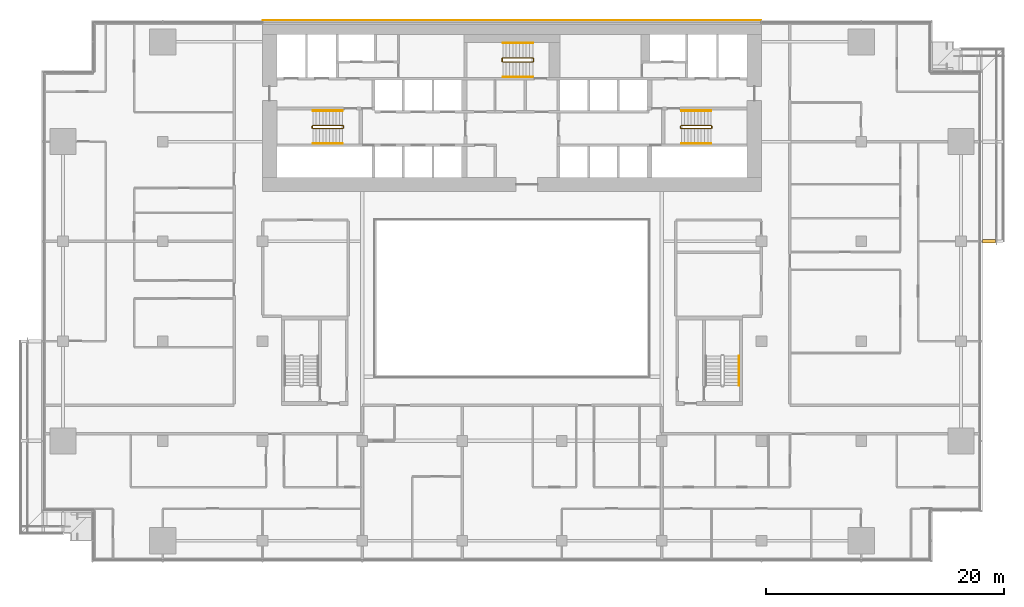
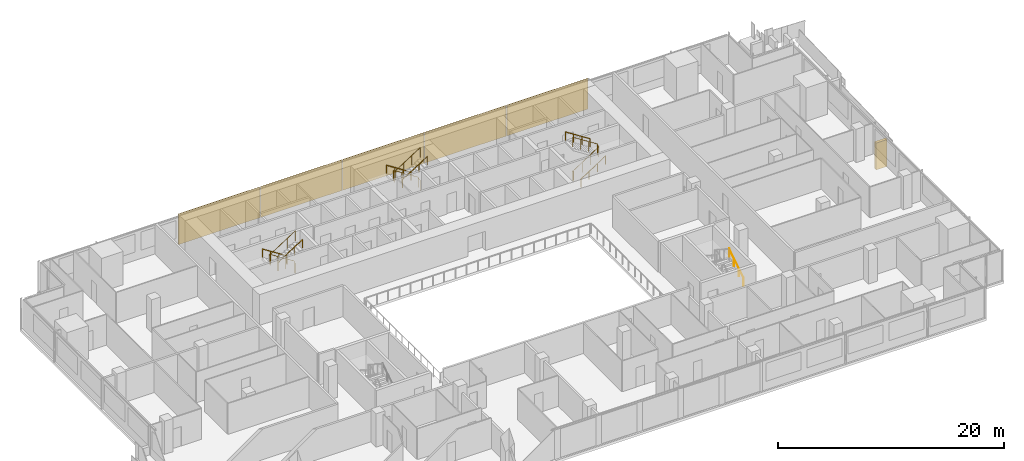
# One storey, part 24 of 27: 10 railings, 6 coverings.
"""IFC4 building model written with IfcOpenShell, lengths in metres."""

from ifc_helpers import new_model, si_unit, direction, frame, origin, origin_2d, place, context, subcontext, project, spatial, polyline, rectangle, circle, outline, extrude, material, layer, layer_set, type_object, element, save


model = new_model("IFC4")

# Units and contexts
model_context = context("Model", 3, precision=1e-05, world=origin(), true_north=direction((0.0, 1.0)))
body_context = subcontext(model_context, "Body", "Model", "MODEL_VIEW")
ifc_project = project(units=[si_unit("LENGTHUNIT", "METRE"), si_unit("AREAUNIT", "SQUARE_METRE"), si_unit("VOLUMEUNIT", "CUBIC_METRE"), si_unit("PLANEANGLEUNIT", "RADIAN"), si_unit("MASSUNIT", "GRAM", prefix="KILO")], contexts=[model_context])

# Site, building, storey
site_placement = place(None, origin())
site = spatial("IfcSite", under=ifc_project, at=site_placement, CompositionType="ELEMENT")
building_placement = place(site_placement, origin())
building = spatial("IfcBuilding", under=site, at=building_placement, Name="Saffron Gate Tower", CompositionType="ELEMENT")
storey_placement = place(building_placement, frame((0.0, 0.0, 76.800048828125)))
storey = spatial("IfcBuildingStorey", under=building, at=storey_placement, Name="L18", CompositionType="ELEMENT", Elevation=76.800048828125)

# Coverings
ifc_material_1 = material(Name="Ceramic-printed bronze insulated panel")
ifc_layer_1 = layer(ifc_material_1, 0.0400390625)
ifc_layer_set_1 = layer_set([ifc_layer_1], Name="CLD1 ceramic-printed cladding panel 40")
covering_type_1 = type_object("IfcCoveringType", Name="CLD1 ceramic-printed cladding panel 40", PredefinedType="CLADDING", material=ifc_layer_set_1)
covering_1_placement = place(storey_placement, origin())
element("IfcCovering", 1, at=covering_1_placement, inside=storey, type_object=covering_type_1, Name="CLADDING ceramic-printed panel", PredefinedType="CLADDING", context=body_context, shape_type="SweptSolid", body=[
    extrude(outline(polyline([(108.56494140625, 75.639892578125), (100.235107421875, 75.639892578125), (100.235107421875, 75.60009765625), (108.56494140625, 75.60009765625), (108.56494140625, 75.639892578125)])), origin(), (0.0, 0.0, 1.0), 3.320068359375),
])
covering_2_placement = place(storey_placement, origin())
element("IfcCovering", 2, at=covering_2_placement, inside=storey, type_object=covering_type_1, Name="CLADDING ceramic-printed panel", PredefinedType="CLADDING", context=body_context, shape_type="SweptSolid", body=[
    extrude(outline(polyline([(100.1650390625, 75.639892578125), (91.8349609375, 75.639892578125), (91.8349609375, 75.60009765625), (100.1650390625, 75.60009765625), (100.1650390625, 75.639892578125)])), origin(), (0.0, 0.0, 1.0), 3.320068359375),
])
covering_3_placement = place(storey_placement, origin())
element("IfcCovering", 3, at=covering_3_placement, inside=storey, type_object=covering_type_1, Name="CLADDING ceramic-printed panel", PredefinedType="CLADDING", context=body_context, shape_type="SweptSolid", body=[
    extrude(outline(polyline([(91.764892578125, 75.639892578125), (83.43505859375, 75.639892578125), (83.43505859375, 75.60009765625), (91.764892578125, 75.60009765625), (91.764892578125, 75.639892578125)])), origin(), (0.0, 0.0, 1.0), 3.320068359375),
])
covering_4_placement = place(storey_placement, origin())
element("IfcCovering", 4, at=covering_4_placement, inside=storey, type_object=covering_type_1, Name="CLADDING ceramic-printed panel", PredefinedType="CLADDING", context=body_context, shape_type="SweptSolid", body=[
    extrude(outline(polyline([(83.364990234375, 75.639892578125), (75.034912109375, 75.639892578125), (75.034912109375, 75.60009765625), (83.364990234375, 75.60009765625), (83.364990234375, 75.639892578125)])), origin(), (0.0, 0.0, 1.0), 3.320068359375),
])
covering_5_placement = place(storey_placement, origin())
element("IfcCovering", 5, at=covering_5_placement, inside=storey, type_object=covering_type_1, Name="CLADDING ceramic-printed panel", PredefinedType="CLADDING", context=body_context, shape_type="SweptSolid", body=[
    extrude(outline(polyline([(74.965087890625, 75.639892578125), (66.635009765625, 75.639892578125), (66.635009765625, 75.60009765625), (74.965087890625, 75.60009765625), (74.965087890625, 75.639892578125)])), origin(), (0.0, 0.0, 1.0), 3.320068359375),
])

# Railings
ifc_material_2 = material(Name="Stainless steel and laminated glass", Category="steel")
railing_type_1 = type_object("IfcRailingType", Name="CR1 Stair guard 1100", PredefinedType="GUARDRAIL", material=ifc_material_2)
railing_1_placement = place(storey_placement, frame((73.39990234375, 66.550048828125, 0.0)))
element("IfcRailing", 6, at=railing_1_placement, inside=storey, type_object=railing_type_1, Name="L18 ST-A stair guard 1", PredefinedType="GUARDRAIL", context=body_context, shape_type="SweptSolid", body=[
    extrude(circle(Radius=0.02392578125, at=origin_2d()), frame((0.0, 0.0, 1.076171875), z_axis=(0.0, 1.0, 0.0), x_axis=(-1.0, 0.0, 0.0)), (0.0, 0.0, 1.0), 0.14990234375),
    extrude(circle(Radius=0.02392578125, at=origin_2d()), frame((0.0, 0.14990234375, 1.076171875), z_axis=(-0.257669022063, 0.258932105505, 0.930892496375), x_axis=(-0.708833529934, -0.705375805398, 0.0)), (0.0, 0.0, 1.0), 0.193359375),
    extrude(circle(Radius=0.02392578125, at=origin_2d()), frame((-0.0498046875, 0.199951171875, 1.255859375), z_axis=(-0.841162588446, 0.0, 0.540782303519), x_axis=(0.0, -1.0, 0.0)), (0.0, 0.0, 1.0), 2.995849609375),
    extrude(circle(Radius=0.02392578125, at=origin_2d()), frame((-2.56982421875, 0.199951171875, 2.8759765625), z_axis=(-0.707106781187, -0.707106781187, 0.0), x_axis=(0.707106781187, -0.707106781187, 0.0)), (0.0, 0.0, 1.0), 0.07080078125),
    extrude(circle(Radius=0.02392578125, at=origin_2d()), frame((-2.619873046875, 0.14990234375, 2.8759765625), z_axis=(0.0, -1.0, 0.0), x_axis=(1.0, 0.0, 0.0)), (0.0, 0.0, 1.0), 0.14990234375),
    extrude(circle(Radius=0.02392578125, at=origin_2d()), frame((-2.619873046875, 0.0, 2.8759765625), z_axis=(0.258847668887, -0.258847668887, 0.930588936439), x_axis=(0.707106781187, 0.707106781187, 0.0)), (0.0, 0.0, 1.0), 0.193359375),
    extrude(circle(Radius=0.02392578125, at=origin_2d()), frame((-2.56982421875, -0.050048828125, 3.05615234375), z_axis=(0.841199657755, 0.0, 0.540724639528), x_axis=(0.0, 1.0, 0.0)), (0.0, 0.0, 1.0), 2.995849609375),
    extrude(circle(Radius=0.02099609375, at=origin_2d()), origin(), (0.0, 0.0, 1.0), 1.052001953125),
    extrude(circle(Radius=0.02099609375, at=origin_2d()), frame((0.0, 0.14990234375, 0.0)), (0.0, 0.0, 1.0), 1.052001953125),
    extrude(circle(Radius=0.02099609375, at=origin_2d()), frame((-0.0498046875, 0.199951171875, 0.179931640625)), (0.0, 0.0, 1.0), 1.052001953125),
    extrude(circle(Radius=0.02099609375, at=origin_2d()), frame((-0.889892578125, 0.199951171875, 0.719970703125)), (0.0, 0.0, 1.0), 1.052001953125),
    extrude(circle(Radius=0.02099609375, at=origin_2d()), frame((-1.729736328125, 0.199951171875, 1.260009765625)), (0.0, 0.0, 1.0), 1.052001953125),
    extrude(circle(Radius=0.02099609375, at=origin_2d()), frame((-2.56982421875, 0.199951171875, 1.800048828125)), (0.0, 0.0, 1.0), 1.052001953125),
    extrude(circle(Radius=0.02099609375, at=origin_2d()), frame((-2.619873046875, 0.14990234375, 1.800048828125)), (0.0, 0.0, 1.0), 1.052001953125),
    extrude(circle(Radius=0.02099609375, at=origin_2d()), frame((-2.619873046875, 0.0, 1.800048828125)), (0.0, 0.0, 1.0), 1.052001953125),
    extrude(circle(Radius=0.02099609375, at=origin_2d()), frame((-2.56982421875, -0.050048828125, 1.97998046875)), (0.0, 0.0, 1.0), 1.052001953125),
    extrude(circle(Radius=0.02099609375, at=origin_2d()), frame((-1.729736328125, -0.050048828125, 2.52001953125)), (0.0, 0.0, 1.0), 1.052001953125),
    extrude(circle(Radius=0.02099609375, at=origin_2d()), frame((-0.889892578125, -0.050048828125, 3.059814453125)), (0.0, 0.0, 1.0), 1.052001953125),
    extrude(circle(Radius=0.02099609375, at=origin_2d()), frame((-0.0498046875, -0.050048828125, 3.599853515625)), (0.0, 0.0, 1.0), 1.052001953125),
])
railing_2_placement = place(storey_placement, frame((101.800048828125, 66.699951171875, 0.0)))
element("IfcRailing", 7, at=railing_2_placement, inside=storey, type_object=railing_type_1, Name="L18 ST-B stair guard 1", PredefinedType="GUARDRAIL", context=body_context, shape_type="SweptSolid", body=[
    extrude(circle(Radius=0.02392578125, at=origin_2d()), frame((0.0, 0.0, 1.076171875), z_axis=(0.0, -1.0, 0.0), x_axis=(1.0, 0.0, 0.0)), (0.0, 0.0, 1.0), 0.14990234375),
    extrude(circle(Radius=0.02392578125, at=origin_2d()), frame((0.0, -0.14990234375, 1.076171875), z_axis=(0.258847668887, -0.258847668887, 0.930588936439), x_axis=(0.707106781187, 0.707106781187, 0.0)), (0.0, 0.0, 1.0), 0.193359375),
    extrude(circle(Radius=0.02392578125, at=origin_2d()), frame((0.050048828125, -0.199951171875, 1.255859375), z_axis=(0.841162588446, 0.0, 0.540782303519), x_axis=(0.0, 1.0, 0.0)), (0.0, 0.0, 1.0), 2.995849609375),
    extrude(circle(Radius=0.02392578125, at=origin_2d()), frame((2.570068359375, -0.199951171875, 2.8759765625), z_axis=(0.705375805398, 0.708833529934, 0.0), x_axis=(-0.708833529934, 0.705375805398, 0.0)), (0.0, 0.0, 1.0), 0.070556640625),
    extrude(circle(Radius=0.02392578125, at=origin_2d()), frame((2.619873046875, -0.14990234375, 2.8759765625), z_axis=(0.0, 1.0, 0.0), x_axis=(-1.0, 0.0, 0.0)), (0.0, 0.0, 1.0), 0.14990234375),
    extrude(circle(Radius=0.02392578125, at=origin_2d()), frame((2.619873046875, 0.0, 2.8759765625), z_axis=(-0.257669022063, 0.258932105505, 0.930892496375), x_axis=(-0.708833529934, -0.705375805398, 0.0)), (0.0, 0.0, 1.0), 0.193359375),
    extrude(circle(Radius=0.02392578125, at=origin_2d()), frame((2.570068359375, 0.050048828125, 3.05615234375), z_axis=(-0.841199657755, 0.0, 0.540724639528), x_axis=(0.0, -1.0, 0.0)), (0.0, 0.0, 1.0), 2.995849609375),
    extrude(circle(Radius=0.02099609375, at=origin_2d()), origin(), (0.0, 0.0, 1.0), 1.052001953125),
    extrude(circle(Radius=0.02099609375, at=origin_2d()), frame((0.0, -0.14990234375, 0.0)), (0.0, 0.0, 1.0), 1.052001953125),
    extrude(circle(Radius=0.02099609375, at=origin_2d()), frame((0.050048828125, -0.199951171875, 0.179931640625)), (0.0, 0.0, 1.0), 1.052001953125),
    extrude(circle(Radius=0.02099609375, at=origin_2d()), frame((0.89013671875, -0.199951171875, 0.719970703125)), (0.0, 0.0, 1.0), 1.052001953125),
    extrude(circle(Radius=0.02099609375, at=origin_2d()), frame((1.72998046875, -0.199951171875, 1.260009765625)), (0.0, 0.0, 1.0), 1.052001953125),
    extrude(circle(Radius=0.02099609375, at=origin_2d()), frame((2.570068359375, -0.199951171875, 1.800048828125)), (0.0, 0.0, 1.0), 1.052001953125),
    extrude(circle(Radius=0.02099609375, at=origin_2d()), frame((2.619873046875, -0.14990234375, 1.800048828125)), (0.0, 0.0, 1.0), 1.052001953125),
    extrude(circle(Radius=0.02099609375, at=origin_2d()), frame((2.619873046875, 0.0, 1.800048828125)), (0.0, 0.0, 1.0), 1.052001953125),
    extrude(circle(Radius=0.02099609375, at=origin_2d()), frame((2.570068359375, 0.050048828125, 1.97998046875)), (0.0, 0.0, 1.0), 1.052001953125),
    extrude(circle(Radius=0.02099609375, at=origin_2d()), frame((1.72998046875, 0.050048828125, 2.52001953125)), (0.0, 0.0, 1.0), 1.052001953125),
    extrude(circle(Radius=0.02099609375, at=origin_2d()), frame((0.89013671875, 0.050048828125, 3.059814453125)), (0.0, 0.0, 1.0), 1.052001953125),
    extrude(circle(Radius=0.02099609375, at=origin_2d()), frame((0.050048828125, 0.050048828125, 3.599853515625)), (0.0, 0.0, 1.0), 1.052001953125),
])
railing_3_placement = place(storey_placement, frame((89.39990234375, 72.14990234375, 0.0)))
element("IfcRailing", 8, at=railing_3_placement, inside=storey, type_object=railing_type_1, Name="L18 ST-C stair guard 1", PredefinedType="GUARDRAIL", context=body_context, shape_type="SweptSolid", body=[
    extrude(circle(Radius=0.02392578125, at=origin_2d()), frame((0.0, 0.0, 1.076171875), z_axis=(0.0, 1.0, 0.0), x_axis=(-1.0, 0.0, 0.0)), (0.0, 0.0, 1.0), 0.25),
    extrude(circle(Radius=0.02392578125, at=origin_2d()), frame((0.0, 0.25, 1.076171875), z_axis=(-0.257669022063, 0.258932105505, 0.930892496375), x_axis=(-0.708833529934, -0.705375805398, 0.0)), (0.0, 0.0, 1.0), 0.193359375),
    extrude(circle(Radius=0.02392578125, at=origin_2d()), frame((-0.0498046875, 0.300048828125, 1.255859375), z_axis=(-0.841162588446, 0.0, 0.540782303519), x_axis=(0.0, -1.0, 0.0)), (0.0, 0.0, 1.0), 2.995849609375),
    extrude(circle(Radius=0.02392578125, at=origin_2d()), frame((-2.56982421875, 0.300048828125, 2.8759765625), z_axis=(-0.707106781187, -0.707106781187, 0.0), x_axis=(0.707106781187, -0.707106781187, 0.0)), (0.0, 0.0, 1.0), 0.07080078125),
    extrude(circle(Radius=0.02392578125, at=origin_2d()), frame((-2.619873046875, 0.25, 2.8759765625), z_axis=(0.0, -1.0, 0.0), x_axis=(1.0, 0.0, 0.0)), (0.0, 0.0, 1.0), 0.25),
    extrude(circle(Radius=0.02392578125, at=origin_2d()), frame((-2.619873046875, 0.0, 2.8759765625), z_axis=(0.258932105505, -0.257669022063, 0.930892496375), x_axis=(0.705375805398, 0.708833529934, 0.0)), (0.0, 0.0, 1.0), 0.193359375),
    extrude(circle(Radius=0.02392578125, at=origin_2d()), frame((-2.56982421875, -0.0498046875, 3.05615234375), z_axis=(0.841199657755, 0.0, 0.540724639528), x_axis=(0.0, 1.0, 0.0)), (0.0, 0.0, 1.0), 2.995849609375),
    extrude(circle(Radius=0.02099609375, at=origin_2d()), origin(), (0.0, 0.0, 1.0), 1.052001953125),
    extrude(circle(Radius=0.02099609375, at=origin_2d()), frame((0.0, 0.25, 0.0)), (0.0, 0.0, 1.0), 1.052001953125),
    extrude(circle(Radius=0.02099609375, at=origin_2d()), frame((-0.0498046875, 0.300048828125, 0.179931640625)), (0.0, 0.0, 1.0), 1.052001953125),
    extrude(circle(Radius=0.02099609375, at=origin_2d()), frame((-0.889892578125, 0.300048828125, 0.719970703125)), (0.0, 0.0, 1.0), 1.052001953125),
    extrude(circle(Radius=0.02099609375, at=origin_2d()), frame((-1.729736328125, 0.300048828125, 1.260009765625)), (0.0, 0.0, 1.0), 1.052001953125),
    extrude(circle(Radius=0.02099609375, at=origin_2d()), frame((-2.56982421875, 0.300048828125, 1.800048828125)), (0.0, 0.0, 1.0), 1.052001953125),
    extrude(circle(Radius=0.02099609375, at=origin_2d()), frame((-2.619873046875, 0.25, 1.800048828125)), (0.0, 0.0, 1.0), 1.052001953125),
    extrude(circle(Radius=0.02099609375, at=origin_2d()), frame((-2.619873046875, 0.0, 1.800048828125)), (0.0, 0.0, 1.0), 1.052001953125),
    extrude(circle(Radius=0.02099609375, at=origin_2d()), frame((-2.56982421875, -0.0498046875, 1.97998046875)), (0.0, 0.0, 1.0), 1.052001953125),
    extrude(circle(Radius=0.02099609375, at=origin_2d()), frame((-1.729736328125, -0.0498046875, 2.52001953125)), (0.0, 0.0, 1.0), 1.052001953125),
    extrude(circle(Radius=0.02099609375, at=origin_2d()), frame((-0.889892578125, -0.0498046875, 3.059814453125)), (0.0, 0.0, 1.0), 1.052001953125),
    extrude(circle(Radius=0.02099609375, at=origin_2d()), frame((-0.0498046875, -0.0498046875, 3.599853515625)), (0.0, 0.0, 1.0), 1.052001953125),
])
ifc_material_3 = material(Name="Stainless steel", Category="steel")
railing_type_2 = type_object("IfcRailingType", Name="CR2 Stair handrail 900", PredefinedType="HANDRAIL", material=ifc_material_3)
railing_4_placement = place(storey_placement, frame((73.35009765625, 68.0, 0.179931640625)))
element("IfcRailing", 9, at=railing_4_placement, inside=storey, type_object=railing_type_2, Name="L18 ST-A stair handrail 1", PredefinedType="HANDRAIL", context=body_context, shape_type="SweptSolid", body=[
    extrude(circle(Radius=0.02392578125, at=origin_2d()), frame((0.0, 0.0, 0.8759765625), z_axis=(-0.841162588446, 0.0, 0.540782303519), x_axis=(0.0, -1.0, 0.0)), (0.0, 0.0, 1.0), 2.995849609375),
    extrude(circle(Radius=0.02099609375, at=origin_2d()), origin(), (0.0, 0.0, 1.0), 0.851806640625),
    extrude(circle(Radius=0.02099609375, at=origin_2d()), frame((-0.840087890625, 0.0, 0.5400390625)), (0.0, 0.0, 1.0), 0.851806640625),
    extrude(circle(Radius=0.02099609375, at=origin_2d()), frame((-1.679931640625, 0.0, 1.080078125)), (0.0, 0.0, 1.0), 0.851806640625),
    extrude(circle(Radius=0.02099609375, at=origin_2d()), frame((-2.52001953125, 0.0, 1.6201171875)), (0.0, 0.0, 1.0), 0.851806640625),
])
railing_5_placement = place(storey_placement, frame((70.830078125, 65.25, 1.97998046875)))
element("IfcRailing", 10, at=railing_5_placement, inside=storey, type_object=railing_type_2, Name="L18 ST-A stair handrail 2", PredefinedType="HANDRAIL", context=body_context, shape_type="SweptSolid", body=[
    extrude(circle(Radius=0.02392578125, at=origin_2d()), frame((0.0, 0.0, 0.8759765625), z_axis=(0.841199657755, 0.0, 0.540724639528), x_axis=(0.0, 1.0, 0.0)), (0.0, 0.0, 1.0), 2.995849609375),
    extrude(circle(Radius=0.02099609375, at=origin_2d()), origin(), (0.0, 0.0, 1.0), 0.851806640625),
    extrude(circle(Radius=0.02099609375, at=origin_2d()), frame((0.840087890625, 0.0, 0.5400390625)), (0.0, 0.0, 1.0), 0.851806640625),
    extrude(circle(Radius=0.02099609375, at=origin_2d()), frame((1.679931640625, 0.0, 1.079833984375)), (0.0, 0.0, 1.0), 0.851806640625),
    extrude(circle(Radius=0.02099609375, at=origin_2d()), frame((2.52001953125, 0.0, 1.619873046875)), (0.0, 0.0, 1.0), 0.851806640625),
])
railing_6_placement = place(storey_placement, frame((101.85009765625, 65.25, 0.179931640625)))
element("IfcRailing", 11, at=railing_6_placement, inside=storey, type_object=railing_type_2, Name="L18 ST-B stair handrail 1", PredefinedType="HANDRAIL", context=body_context, shape_type="SweptSolid", body=[
    extrude(circle(Radius=0.02392578125, at=origin_2d()), frame((0.0, 0.0, 0.8759765625), z_axis=(0.841162588446, 0.0, 0.540782303519), x_axis=(0.0, 1.0, 0.0)), (0.0, 0.0, 1.0), 2.995849609375),
    extrude(circle(Radius=0.02099609375, at=origin_2d()), origin(), (0.0, 0.0, 1.0), 0.851806640625),
    extrude(circle(Radius=0.02099609375, at=origin_2d()), frame((0.840087890625, 0.0, 0.5400390625)), (0.0, 0.0, 1.0), 0.851806640625),
    extrude(circle(Radius=0.02099609375, at=origin_2d()), frame((1.679931640625, 0.0, 1.080078125)), (0.0, 0.0, 1.0), 0.851806640625),
    extrude(circle(Radius=0.02099609375, at=origin_2d()), frame((2.52001953125, 0.0, 1.6201171875)), (0.0, 0.0, 1.0), 0.851806640625),
])
railing_7_placement = place(storey_placement, frame((104.3701171875, 68.0, 1.97998046875)))
element("IfcRailing", 12, at=railing_7_placement, inside=storey, type_object=railing_type_2, Name="L18 ST-B stair handrail 2", PredefinedType="HANDRAIL", context=body_context, shape_type="SweptSolid", body=[
    extrude(circle(Radius=0.02392578125, at=origin_2d()), frame((0.0, 0.0, 0.8759765625), z_axis=(-0.841199657755, 0.0, 0.540724639528), x_axis=(0.0, -1.0, 0.0)), (0.0, 0.0, 1.0), 2.995849609375),
    extrude(circle(Radius=0.02099609375, at=origin_2d()), origin(), (0.0, 0.0, 1.0), 0.851806640625),
    extrude(circle(Radius=0.02099609375, at=origin_2d()), frame((-0.840087890625, 0.0, 0.5400390625)), (0.0, 0.0, 1.0), 0.851806640625),
    extrude(circle(Radius=0.02099609375, at=origin_2d()), frame((-1.679931640625, 0.0, 1.079833984375)), (0.0, 0.0, 1.0), 0.851806640625),
    extrude(circle(Radius=0.02099609375, at=origin_2d()), frame((-2.52001953125, 0.0, 1.619873046875)), (0.0, 0.0, 1.0), 0.851806640625),
])
railing_8_placement = place(storey_placement, frame((89.35009765625, 73.699951171875, 0.179931640625)))
element("IfcRailing", 13, at=railing_8_placement, inside=storey, type_object=railing_type_2, Name="L18 ST-C stair handrail 1", PredefinedType="HANDRAIL", context=body_context, shape_type="SweptSolid", body=[
    extrude(circle(Radius=0.02392578125, at=origin_2d()), frame((0.0, 0.0, 0.8759765625), z_axis=(-0.841162588446, 0.0, 0.540782303519), x_axis=(0.0, -1.0, 0.0)), (0.0, 0.0, 1.0), 2.995849609375),
    extrude(circle(Radius=0.02099609375, at=origin_2d()), origin(), (0.0, 0.0, 1.0), 0.851806640625),
    extrude(circle(Radius=0.02099609375, at=origin_2d()), frame((-0.840087890625, 0.0, 0.5400390625)), (0.0, 0.0, 1.0), 0.851806640625),
    extrude(circle(Radius=0.02099609375, at=origin_2d()), frame((-1.679931640625, 0.0, 1.080078125)), (0.0, 0.0, 1.0), 0.851806640625),
    extrude(circle(Radius=0.02099609375, at=origin_2d()), frame((-2.52001953125, 0.0, 1.6201171875)), (0.0, 0.0, 1.0), 0.851806640625),
])
railing_9_placement = place(storey_placement, frame((86.830078125, 70.85009765625, 1.97998046875)))
element("IfcRailing", 14, at=railing_9_placement, inside=storey, type_object=railing_type_2, Name="L18 ST-C stair handrail 2", PredefinedType="HANDRAIL", context=body_context, shape_type="SweptSolid", body=[
    extrude(circle(Radius=0.02392578125, at=origin_2d()), frame((0.0, 0.0, 0.8759765625), z_axis=(0.841199657755, 0.0, 0.540724639528), x_axis=(0.0, 1.0, 0.0)), (0.0, 0.0, 1.0), 2.995849609375),
    extrude(circle(Radius=0.02099609375, at=origin_2d()), origin(), (0.0, 0.0, 1.0), 0.851806640625),
    extrude(circle(Radius=0.02099609375, at=origin_2d()), frame((0.840087890625, 0.0, 0.5400390625)), (0.0, 0.0, 1.0), 0.851806640625),
    extrude(circle(Radius=0.02099609375, at=origin_2d()), frame((1.679931640625, 0.0, 1.079833984375)), (0.0, 0.0, 1.0), 0.851806640625),
    extrude(circle(Radius=0.02099609375, at=origin_2d()), frame((2.52001953125, 0.0, 1.619873046875)), (0.0, 0.0, 1.0), 0.851806640625),
])
railing_10_placement = place(storey_placement, frame((106.699951171875, 44.85009765625, 0.179931640625)))
element("IfcRailing", 15, at=railing_10_placement, inside=storey, type_object=railing_type_2, Name="L18 ST-E stair handrail 1", PredefinedType="HANDRAIL", context=body_context, shape_type="SweptSolid", body=[
    extrude(circle(Radius=0.02392578125, at=origin_2d()), frame((0.0, 0.0, 0.8759765625), z_axis=(0.0, 0.841162588446, 0.540782303519), x_axis=(-1.0, 0.0, 0.0)), (0.0, 0.0, 1.0), 2.995849609375),
    extrude(circle(Radius=0.02099609375, at=origin_2d()), origin(), (0.0, 0.0, 1.0), 0.851806640625),
    extrude(circle(Radius=0.02099609375, at=origin_2d()), frame((0.0, 0.840087890625, 0.5400390625)), (0.0, 0.0, 1.0), 0.851806640625),
    extrude(circle(Radius=0.02099609375, at=origin_2d()), frame((0.0, 1.679931640625, 1.080078125)), (0.0, 0.0, 1.0), 0.851806640625),
    extrude(circle(Radius=0.02099609375, at=origin_2d()), frame((0.0, 2.52001953125, 1.6201171875)), (0.0, 0.0, 1.0), 0.851806640625),
])

# Covering
ifc_material_4 = material(Name="Timber, thermally modified ash", Category="wood")
ifc_layer_2 = layer(ifc_material_4, 0.300048828125)
ifc_layer_set_2 = layer_set([ifc_layer_2], Name="LD3 ledge riser fin")
covering_type_2 = type_object("IfcCoveringType", Name="LD3 ledge riser fin", PredefinedType="CLADDING", material=ifc_layer_set_2)
covering_6_placement = place(storey_placement, frame((127.760009765625, 57.0, -1.75732421875), z_axis=(0.0, 0.0, 1.0), x_axis=(0.0, 1.0, 0.0)))
element("IfcCovering", 16, at=covering_6_placement, inside=storey, type_object=covering_type_2, Name="LEDGE riser fin", PredefinedType="CLADDING", context=body_context, shape_type="SweptSolid", body=[
    extrude(rectangle(XDim=0.300048828125, YDim=1.1201171875, at=origin_2d()), origin(), (0.0, 0.0, 1.0), 2.900390625),
])

save(model, "model.ifc")
